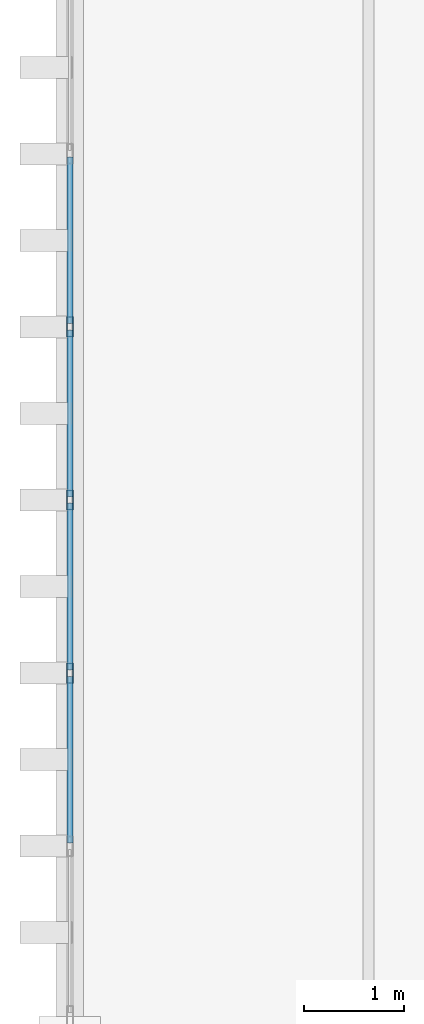
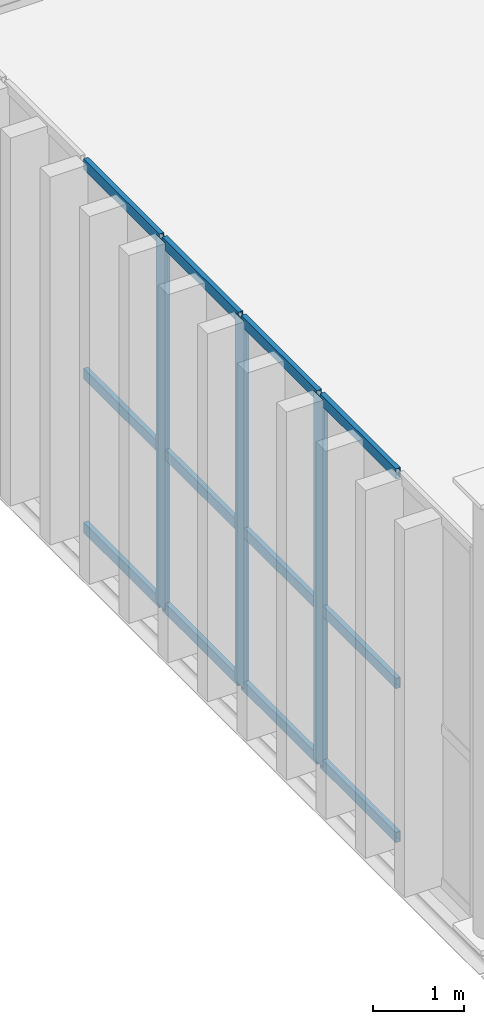
# One storey, part 80 of 211: 15 members, 1 element without a shape of its own.
"""IFC4 building model written with IfcOpenShell, lengths in metres."""

from ifc_helpers import new_model, si_unit, direction, frame, origin, origin_2d, place, context, subcontext, project, spatial, hollow_rectangle, extrude, material, layer, layer_set, material_profile, profile_set, type_object, element, aggregate, save


model = new_model("IFC4")

# Units and contexts
model_context = context("Model", 3, precision=1e-05, world=origin(), true_north=direction((0.0, 1.0)))
body_context = subcontext(model_context, "Body", "Model", "MODEL_VIEW")
ifc_project = project(units=[si_unit("LENGTHUNIT", "METRE"), si_unit("AREAUNIT", "SQUARE_METRE"), si_unit("VOLUMEUNIT", "CUBIC_METRE"), si_unit("PLANEANGLEUNIT", "RADIAN"), si_unit("MASSUNIT", "GRAM", prefix="KILO")], contexts=[model_context])

# Site, building, storey
site_placement = place(None, origin())
site = spatial("IfcSite", under=ifc_project, at=site_placement, CompositionType="ELEMENT")
building_placement = place(site_placement, origin())
building = spatial("IfcBuilding", under=site, at=building_placement, Name="Barlavento Convention Centre", CompositionType="ELEMENT")
storey_placement = place(building_placement, frame((0.0, 0.0, 6.0)))
storey = spatial("IfcBuildingStorey", under=building, at=storey_placement, Name="L01", CompositionType="ELEMENT", Elevation=6.0)

# Curtain wall, members
ifc_material_1 = material(Name="Powder-coated aluminium and Low-E glass", Category="aluminium")
ifc_layer = layer(ifc_material_1, 0.179931640625)
ifc_layer_set = layer_set([ifc_layer], Name="ARC-CW-EXH-L01")
curtain_wall_type = type_object("IfcCurtainWallType", Name="ARC-CW-EXH-L01", PredefinedType="NOTDEFINED", material=ifc_layer_set)
curtain_wall_placement = place(storey_placement, origin())
curtain_wall = element("IfcCurtainWall", 1, at=curtain_wall_placement, inside=storey, type_object=curtain_wall_type, Name="L01 unitised curtain wall CW04", PredefinedType="NOTDEFINED")
ifc_material_2 = material(Name="Powder-coated aluminium", Category="aluminium")
ifc_material_profile_1 = material_profile(ifc_material_2, hollow_rectangle(XDim=0.06494140625, YDim=0.199951171875, WallThickness=0.0048828125, at=origin_2d()), Name="AL-MULL 65x200x5")
ifc_profile_set_1 = profile_set([ifc_material_profile_1], Name="Powder-coated aluminium")
member_type_1 = type_object("IfcMemberType", Name="ARC-CWM-65X200", PredefinedType="MULLION", material=ifc_profile_set_1)
member_1_placement = place(storey_placement, frame((0.0, 120.758056640625, 0.0), z_axis=(0.0, 0.0, 1.0), x_axis=(-1.0, 0.0, 0.0)))
member_1 = element("IfcMember", 2, at=member_1_placement, type_object=member_type_1, Name="CW04 mullion 3", PredefinedType="MULLION", context=body_context, shape_type="SweptSolid", body=[
    extrude(hollow_rectangle(XDim=0.06494140625, YDim=0.199951171875, WallThickness=0.0048828125, at=origin_2d()), origin(), (0.0, 0.0, 1.0), 4.949951171875),
])
member_2_placement = place(storey_placement, frame((0.0, 122.49560546875, 0.0), z_axis=(0.0, 0.0, 1.0), x_axis=(-1.0, 0.0, 0.0)))
member_2 = element("IfcMember", 3, at=member_2_placement, type_object=member_type_1, Name="CW04 mullion 4", PredefinedType="MULLION", context=body_context, shape_type="SweptSolid", body=[
    extrude(hollow_rectangle(XDim=0.06494140625, YDim=0.199951171875, WallThickness=0.0048828125, at=origin_2d()), origin(), (0.0, 0.0, 1.0), 4.949951171875),
])
member_3_placement = place(storey_placement, frame((0.0, 124.233154296875, 0.0), z_axis=(0.0, 0.0, 1.0), x_axis=(-1.0, 0.0, 0.0)))
member_3 = element("IfcMember", 4, at=member_3_placement, type_object=member_type_1, Name="CW04 mullion 5", PredefinedType="MULLION", context=body_context, shape_type="SweptSolid", body=[
    extrude(hollow_rectangle(XDim=0.06494140625, YDim=0.199951171875, WallThickness=0.0048828125, at=origin_2d()), origin(), (0.0, 0.0, 1.0), 4.949951171875),
])
ifc_material_profile_2 = material_profile(ifc_material_2, hollow_rectangle(XDim=0.06005859375, YDim=0.139892578125, WallThickness=0.00390625, at=origin_2d()), Name="AL-TRAN 60x140x4")
ifc_profile_set_2 = profile_set([ifc_material_profile_2], Name="Powder-coated aluminium")
member_type_2 = type_object("IfcMemberType", Name="ARC-CWT-60X140", PredefinedType="USERDEFINED", material=ifc_profile_set_2)
member_4_placement = place(storey_placement, frame((0.0, 119.05322265625, 0.030029296875), z_axis=(0.0, 1.0, 0.0), x_axis=(-1.0, 0.0, 0.0)))
member_4 = element("IfcMember", 5, at=member_4_placement, type_object=member_type_2, Name="CW04 transom 2.1", ObjectType="TRANSOM", PredefinedType="USERDEFINED", context=body_context, shape_type="SweptSolid", body=[
    extrude(hollow_rectangle(XDim=0.06005859375, YDim=0.139892578125, WallThickness=0.00390625, at=origin_2d()), origin(), (0.0, 0.0, 1.0), 1.67236328125),
])
member_5_placement = place(storey_placement, frame((0.0, 119.05322265625, 2.10009765625), z_axis=(0.0, 1.0, 0.0), x_axis=(-1.0, 0.0, 0.0)))
member_5 = element("IfcMember", 6, at=member_5_placement, type_object=member_type_2, Name="CW04 transom 2.2", ObjectType="TRANSOM", PredefinedType="USERDEFINED", context=body_context, shape_type="SweptSolid", body=[
    extrude(hollow_rectangle(XDim=0.06005859375, YDim=0.139892578125, WallThickness=0.00390625, at=origin_2d()), origin(), (0.0, 0.0, 1.0), 1.67236328125),
])
member_6_placement = place(storey_placement, frame((0.0, 119.05322265625, 4.919921875), z_axis=(0.0, 1.0, 0.0), x_axis=(-1.0, 0.0, 0.0)))
member_6 = element("IfcMember", 7, at=member_6_placement, type_object=member_type_2, Name="CW04 transom 2.3", ObjectType="TRANSOM", PredefinedType="USERDEFINED", context=body_context, shape_type="SweptSolid", body=[
    extrude(hollow_rectangle(XDim=0.06005859375, YDim=0.139892578125, WallThickness=0.00390625, at=origin_2d()), origin(), (0.0, 0.0, 1.0), 1.67236328125),
])
member_7_placement = place(storey_placement, frame((0.0, 120.790771484375, 0.030029296875), z_axis=(0.0, 1.0, 0.0), x_axis=(-1.0, 0.0, 0.0)))
member_7 = element("IfcMember", 8, at=member_7_placement, type_object=member_type_2, Name="CW04 transom 3.1", ObjectType="TRANSOM", PredefinedType="USERDEFINED", context=body_context, shape_type="SweptSolid", body=[
    extrude(hollow_rectangle(XDim=0.06005859375, YDim=0.139892578125, WallThickness=0.00390625, at=origin_2d()), origin(), (0.0, 0.0, 1.0), 1.67236328125),
])
member_8_placement = place(storey_placement, frame((0.0, 120.790771484375, 2.10009765625), z_axis=(0.0, 1.0, 0.0), x_axis=(-1.0, 0.0, 0.0)))
member_8 = element("IfcMember", 9, at=member_8_placement, type_object=member_type_2, Name="CW04 transom 3.2", ObjectType="TRANSOM", PredefinedType="USERDEFINED", context=body_context, shape_type="SweptSolid", body=[
    extrude(hollow_rectangle(XDim=0.06005859375, YDim=0.139892578125, WallThickness=0.00390625, at=origin_2d()), origin(), (0.0, 0.0, 1.0), 1.67236328125),
])
member_9_placement = place(storey_placement, frame((0.0, 120.790771484375, 4.919921875), z_axis=(0.0, 1.0, 0.0), x_axis=(-1.0, 0.0, 0.0)))
member_9 = element("IfcMember", 10, at=member_9_placement, type_object=member_type_2, Name="CW04 transom 3.3", ObjectType="TRANSOM", PredefinedType="USERDEFINED", context=body_context, shape_type="SweptSolid", body=[
    extrude(hollow_rectangle(XDim=0.06005859375, YDim=0.139892578125, WallThickness=0.00390625, at=origin_2d()), origin(), (0.0, 0.0, 1.0), 1.67236328125),
])
member_10_placement = place(storey_placement, frame((0.0, 122.528076171875, 0.030029296875), z_axis=(0.0, 1.0, 0.0), x_axis=(-1.0, 0.0, 0.0)))
member_10 = element("IfcMember", 11, at=member_10_placement, type_object=member_type_2, Name="CW04 transom 4.1", ObjectType="TRANSOM", PredefinedType="USERDEFINED", context=body_context, shape_type="SweptSolid", body=[
    extrude(hollow_rectangle(XDim=0.06005859375, YDim=0.139892578125, WallThickness=0.00390625, at=origin_2d()), origin(), (0.0, 0.0, 1.0), 1.672607421875),
])
member_11_placement = place(storey_placement, frame((0.0, 122.528076171875, 2.10009765625), z_axis=(0.0, 1.0, 0.0), x_axis=(-1.0, 0.0, 0.0)))
member_11 = element("IfcMember", 12, at=member_11_placement, type_object=member_type_2, Name="CW04 transom 4.2", ObjectType="TRANSOM", PredefinedType="USERDEFINED", context=body_context, shape_type="SweptSolid", body=[
    extrude(hollow_rectangle(XDim=0.06005859375, YDim=0.139892578125, WallThickness=0.00390625, at=origin_2d()), origin(), (0.0, 0.0, 1.0), 1.672607421875),
])
member_12_placement = place(storey_placement, frame((0.0, 122.528076171875, 4.919921875), z_axis=(0.0, 1.0, 0.0), x_axis=(-1.0, 0.0, 0.0)))
member_12 = element("IfcMember", 13, at=member_12_placement, type_object=member_type_2, Name="CW04 transom 4.3", ObjectType="TRANSOM", PredefinedType="USERDEFINED", context=body_context, shape_type="SweptSolid", body=[
    extrude(hollow_rectangle(XDim=0.06005859375, YDim=0.139892578125, WallThickness=0.00390625, at=origin_2d()), origin(), (0.0, 0.0, 1.0), 1.672607421875),
])
member_13_placement = place(storey_placement, frame((0.0, 124.265625, 0.030029296875), z_axis=(0.0, 1.0, 0.0), x_axis=(-1.0, 0.0, 0.0)))
member_13 = element("IfcMember", 14, at=member_13_placement, type_object=member_type_2, Name="CW04 transom 5.1", ObjectType="TRANSOM", PredefinedType="USERDEFINED", context=body_context, shape_type="SweptSolid", body=[
    extrude(hollow_rectangle(XDim=0.06005859375, YDim=0.139892578125, WallThickness=0.00390625, at=origin_2d()), origin(), (0.0, 0.0, 1.0), 1.67236328125),
])
member_14_placement = place(storey_placement, frame((0.0, 124.265625, 2.10009765625), z_axis=(0.0, 1.0, 0.0), x_axis=(-1.0, 0.0, 0.0)))
member_14 = element("IfcMember", 15, at=member_14_placement, type_object=member_type_2, Name="CW04 transom 5.2", ObjectType="TRANSOM", PredefinedType="USERDEFINED", context=body_context, shape_type="SweptSolid", body=[
    extrude(hollow_rectangle(XDim=0.06005859375, YDim=0.139892578125, WallThickness=0.00390625, at=origin_2d()), origin(), (0.0, 0.0, 1.0), 1.67236328125),
])
member_15_placement = place(storey_placement, frame((0.0, 124.265625, 4.919921875), z_axis=(0.0, 1.0, 0.0), x_axis=(-1.0, 0.0, 0.0)))
member_15 = element("IfcMember", 16, at=member_15_placement, type_object=member_type_2, Name="CW04 transom 5.3", ObjectType="TRANSOM", PredefinedType="USERDEFINED", context=body_context, shape_type="SweptSolid", body=[
    extrude(hollow_rectangle(XDim=0.06005859375, YDim=0.139892578125, WallThickness=0.00390625, at=origin_2d()), origin(), (0.0, 0.0, 1.0), 1.67236328125),
])
aggregate(curtain_wall, [member_1, member_2, member_3, member_4, member_5, member_6, member_7, member_8, member_9, member_10, member_11, member_12, member_13, member_14, member_15])

save(model, "model.ifc")
